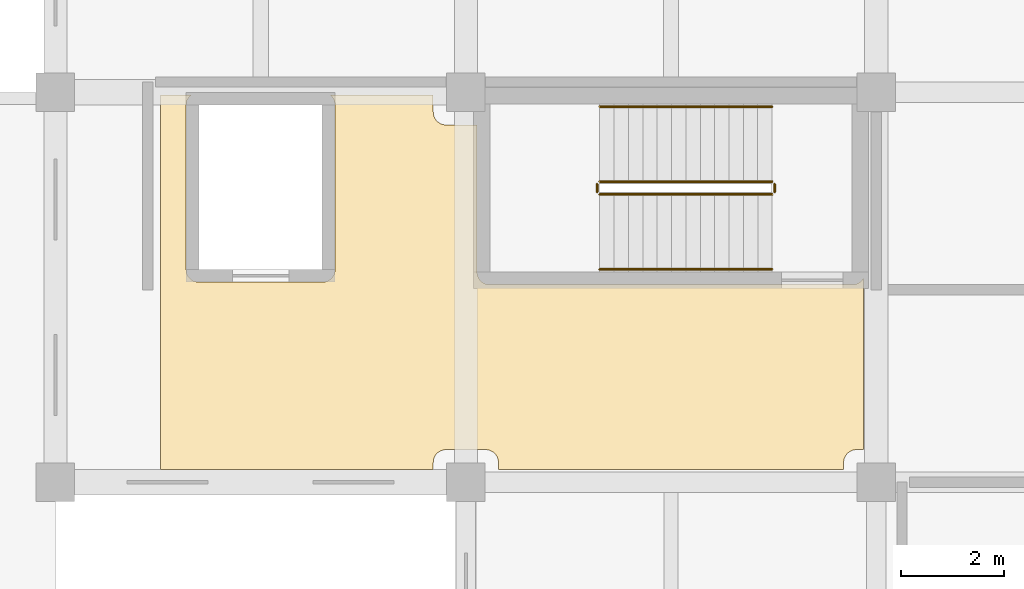
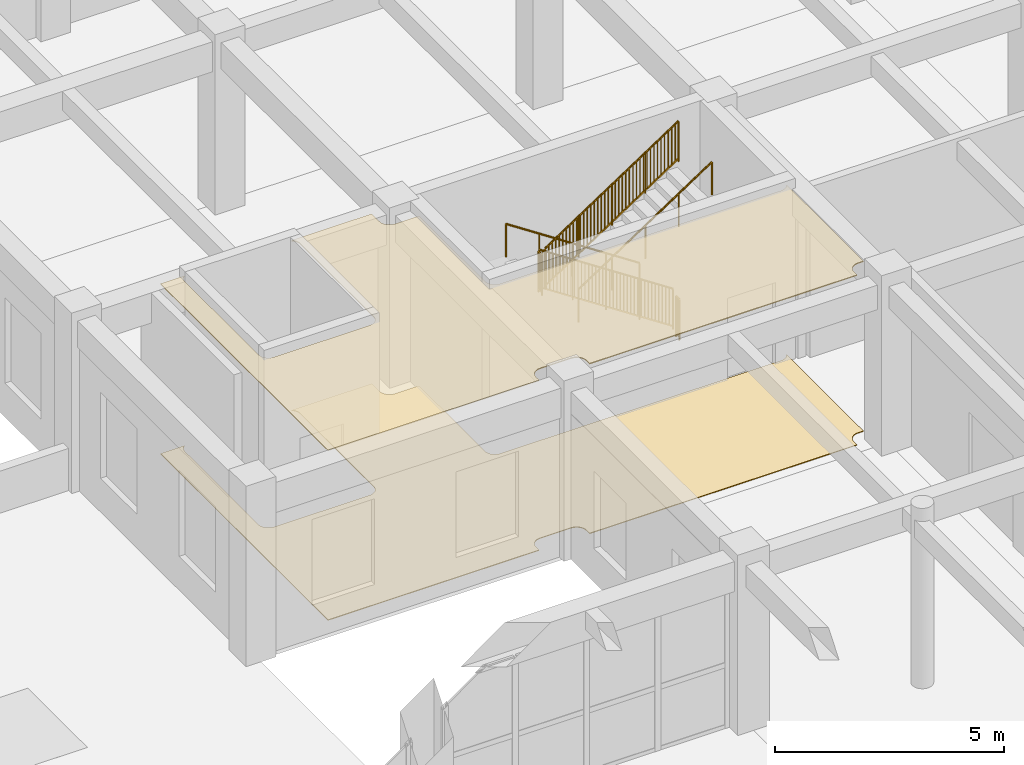
# One storey, part 98 of 101: 6 railings, 2 coverings.
"""IFC4 building model written with IfcOpenShell, lengths in metres."""

from ifc_helpers import new_model, si_unit, direction, frame, origin, origin_2d, place, context, subcontext, project, spatial, polyline, rectangle, circle, outline, extrude, material, layer, layer_set, type_object, element, save


model = new_model("IFC4")

# Units and contexts
model_context = context("Model", 3, precision=1e-05, world=origin(), true_north=direction((0.0, 1.0)))
body_context = subcontext(model_context, "Body", "Model", "MODEL_VIEW")
ifc_project = project(units=[si_unit("LENGTHUNIT", "METRE"), si_unit("AREAUNIT", "SQUARE_METRE"), si_unit("VOLUMEUNIT", "CUBIC_METRE"), si_unit("PLANEANGLEUNIT", "RADIAN"), si_unit("MASSUNIT", "GRAM", prefix="KILO")], contexts=[model_context])

# Site, building, storey
site_placement = place(None, origin())
site = spatial("IfcSite", under=ifc_project, at=site_placement, CompositionType="ELEMENT")
building_placement = place(site_placement, origin())
building = spatial("IfcBuilding", under=site, at=building_placement, Name="Zantavel Square City Hall", CompositionType="ELEMENT")
storey_placement = place(building_placement, frame((0.0, 0.0, 5.39990234375)))
storey = spatial("IfcBuildingStorey", under=building, at=storey_placement, Name="L02", CompositionType="ELEMENT", Elevation=5.39990234375)

# Railings
ifc_material_1 = material(Name="Steel ASTM A500 Grade B", Category="steel")
railing_type_1 = type_object("IfcRailingType", Name="Atrium & Gallery Steel Guard Railing 1100mm", PredefinedType="GUARDRAIL", material=ifc_material_1)
railing_1_placement = place(storey_placement, frame((117.969970703125, 81.860107421875, 0.184814453125)))
element("IfcRailing", 1, at=railing_1_placement, inside=storey, type_object=railing_type_1, Name="L02 ST2 stair guard 1", PredefinedType="GUARDRAIL", context=body_context, shape_type="SweptSolid", body=[
    extrude(circle(Radius=0.02392578125, at=origin_2d()), frame((0.0, 0.0, 1.076171875), z_axis=(-0.834858096282, 0.0, 0.550465220583), x_axis=(0.0, -1.0, 0.0)), (0.0, 0.0, 1.0), 4.0244140625),
    extrude(rectangle(XDim=0.031982421875, YDim=0.031982421875, at=origin_2d()), frame((0.0, 0.0, 0.080078125), z_axis=(-0.834858096282, 0.0, 0.550465220583), x_axis=(0.0, -1.0, 0.0)), (0.0, 0.0, 1.0), 4.0244140625),
    extrude(rectangle(XDim=0.02197265625, YDim=0.02197265625, at=origin_2d()), frame((-0.08837890625, 0.0, 0.13818359375)), (0.0, 0.0, 1.0), 0.971923828125),
    extrude(rectangle(XDim=0.02197265625, YDim=0.02197265625, at=origin_2d()), frame((-0.1767578125, 0.0, 0.196533203125)), (0.0, 0.0, 1.0), 0.971923828125),
    extrude(rectangle(XDim=0.02197265625, YDim=0.02197265625, at=origin_2d()), frame((-0.26513671875, 0.0, 0.2548828125)), (0.0, 0.0, 1.0), 0.971923828125),
    extrude(rectangle(XDim=0.02197265625, YDim=0.02197265625, at=origin_2d()), frame((-0.353759765625, 0.0, 0.313232421875)), (0.0, 0.0, 1.0), 0.971923828125),
    extrude(rectangle(XDim=0.02197265625, YDim=0.02197265625, at=origin_2d()), frame((-0.442138671875, 0.0, 0.37158203125)), (0.0, 0.0, 1.0), 0.971923828125),
    extrude(rectangle(XDim=0.02197265625, YDim=0.02197265625, at=origin_2d()), frame((-0.530517578125, 0.0, 0.4296875)), (0.0, 0.0, 1.0), 0.971923828125),
    extrude(rectangle(XDim=0.02197265625, YDim=0.02197265625, at=origin_2d()), frame((-0.618896484375, 0.0, 0.488037109375)), (0.0, 0.0, 1.0), 0.971923828125),
    extrude(rectangle(XDim=0.02197265625, YDim=0.02197265625, at=origin_2d()), frame((-0.707275390625, 0.0, 0.54638671875)), (0.0, 0.0, 1.0), 0.971923828125),
    extrude(rectangle(XDim=0.02197265625, YDim=0.02197265625, at=origin_2d()), frame((-0.795654296875, 0.0, 0.604736328125)), (0.0, 0.0, 1.0), 0.971923828125),
    extrude(rectangle(XDim=0.02197265625, YDim=0.02197265625, at=origin_2d()), frame((-0.88427734375, 0.0, 0.6630859375)), (0.0, 0.0, 1.0), 0.971923828125),
    extrude(rectangle(XDim=0.02197265625, YDim=0.02197265625, at=origin_2d()), frame((-0.97265625, 0.0, 0.72119140625)), (0.0, 0.0, 1.0), 0.971923828125),
    extrude(rectangle(XDim=0.02197265625, YDim=0.02197265625, at=origin_2d()), frame((-1.06103515625, 0.0, 0.779541015625)), (0.0, 0.0, 1.0), 0.971923828125),
    extrude(rectangle(XDim=0.02197265625, YDim=0.02197265625, at=origin_2d()), frame((-1.1494140625, 0.0, 0.837890625)), (0.0, 0.0, 1.0), 0.971923828125),
    extrude(rectangle(XDim=0.02197265625, YDim=0.02197265625, at=origin_2d()), frame((-1.23779296875, 0.0, 0.896240234375)), (0.0, 0.0, 1.0), 0.971923828125),
    extrude(rectangle(XDim=0.02197265625, YDim=0.02197265625, at=origin_2d()), frame((-1.326171875, 0.0, 0.95458984375)), (0.0, 0.0, 1.0), 0.971923828125),
    extrude(rectangle(XDim=0.02197265625, YDim=0.02197265625, at=origin_2d()), frame((-1.414794921875, 0.0, 1.0126953125)), (0.0, 0.0, 1.0), 0.971923828125),
    extrude(rectangle(XDim=0.02197265625, YDim=0.02197265625, at=origin_2d()), frame((-1.503173828125, 0.0, 1.071044921875)), (0.0, 0.0, 1.0), 0.971923828125),
    extrude(rectangle(XDim=0.02197265625, YDim=0.02197265625, at=origin_2d()), frame((-1.591552734375, 0.0, 1.12939453125)), (0.0, 0.0, 1.0), 0.971923828125),
    extrude(rectangle(XDim=0.02197265625, YDim=0.02197265625, at=origin_2d()), frame((-1.768310546875, 0.0, 1.245849609375)), (0.0, 0.0, 1.0), 0.971923828125),
    extrude(rectangle(XDim=0.02197265625, YDim=0.02197265625, at=origin_2d()), frame((-1.856689453125, 0.0, 1.30419921875)), (0.0, 0.0, 1.0), 0.971923828125),
    extrude(rectangle(XDim=0.02197265625, YDim=0.02197265625, at=origin_2d()), frame((-1.945068359375, 0.0, 1.362548828125)), (0.0, 0.0, 1.0), 0.971923828125),
    extrude(rectangle(XDim=0.02197265625, YDim=0.02197265625, at=origin_2d()), frame((-2.03369140625, 0.0, 1.4208984375)), (0.0, 0.0, 1.0), 0.971923828125),
    extrude(rectangle(XDim=0.02197265625, YDim=0.02197265625, at=origin_2d()), frame((-2.1220703125, 0.0, 1.479248046875)), (0.0, 0.0, 1.0), 0.971923828125),
    extrude(rectangle(XDim=0.02197265625, YDim=0.02197265625, at=origin_2d()), frame((-2.21044921875, 0.0, 1.537353515625)), (0.0, 0.0, 1.0), 0.971923828125),
    extrude(rectangle(XDim=0.02197265625, YDim=0.02197265625, at=origin_2d()), frame((-2.298828125, 0.0, 1.595703125)), (0.0, 0.0, 1.0), 0.971923828125),
    extrude(rectangle(XDim=0.02197265625, YDim=0.02197265625, at=origin_2d()), frame((-2.38720703125, 0.0, 1.654052734375)), (0.0, 0.0, 1.0), 0.971923828125),
    extrude(rectangle(XDim=0.02197265625, YDim=0.02197265625, at=origin_2d()), frame((-2.4755859375, 0.0, 1.71240234375)), (0.0, 0.0, 1.0), 0.971923828125),
    extrude(rectangle(XDim=0.02197265625, YDim=0.02197265625, at=origin_2d()), frame((-2.564208984375, 0.0, 1.770751953125)), (0.0, 0.0, 1.0), 0.971923828125),
    extrude(rectangle(XDim=0.02197265625, YDim=0.02197265625, at=origin_2d()), frame((-2.652587890625, 0.0, 1.828857421875)), (0.0, 0.0, 1.0), 0.971923828125),
    extrude(rectangle(XDim=0.02197265625, YDim=0.02197265625, at=origin_2d()), frame((-2.740966796875, 0.0, 1.88720703125)), (0.0, 0.0, 1.0), 0.971923828125),
    extrude(rectangle(XDim=0.02197265625, YDim=0.02197265625, at=origin_2d()), frame((-2.829345703125, 0.0, 1.945556640625)), (0.0, 0.0, 1.0), 0.971923828125),
    extrude(rectangle(XDim=0.02197265625, YDim=0.02197265625, at=origin_2d()), frame((-2.917724609375, 0.0, 2.00390625)), (0.0, 0.0, 1.0), 0.971923828125),
    extrude(rectangle(XDim=0.02197265625, YDim=0.02197265625, at=origin_2d()), frame((-3.006103515625, 0.0, 2.062255859375)), (0.0, 0.0, 1.0), 0.971923828125),
    extrude(rectangle(XDim=0.02197265625, YDim=0.02197265625, at=origin_2d()), frame((-3.0947265625, 0.0, 2.120361328125)), (0.0, 0.0, 1.0), 0.971923828125),
    extrude(rectangle(XDim=0.02197265625, YDim=0.02197265625, at=origin_2d()), frame((-3.18310546875, 0.0, 2.1787109375)), (0.0, 0.0, 1.0), 0.971923828125),
    extrude(rectangle(XDim=0.02197265625, YDim=0.02197265625, at=origin_2d()), frame((-3.271484375, 0.0, 2.237060546875)), (0.0, 0.0, 1.0), 0.971923828125),
    extrude(circle(Radius=0.02099609375, at=origin_2d()), origin(), (0.0, 0.0, 1.0), 1.052001953125),
    extrude(circle(Radius=0.02099609375, at=origin_2d()), frame((-0.83984375, 0.0, 0.5537109375)), (0.0, 0.0, 1.0), 1.052001953125),
    extrude(circle(Radius=0.02099609375, at=origin_2d()), frame((-1.679931640625, 0.0, 1.107666015625)), (0.0, 0.0, 1.0), 1.052001953125),
    extrude(circle(Radius=0.02099609375, at=origin_2d()), frame((-2.52001953125, 0.0, 1.66162109375)), (0.0, 0.0, 1.0), 1.052001953125),
    extrude(circle(Radius=0.02099609375, at=origin_2d()), frame((-3.35986328125, 0.0, 2.21533203125)), (0.0, 0.0, 1.0), 1.052001953125),
])
railing_2_placement = place(storey_placement, frame((114.56005859375, 81.81005859375, 2.400146484375)))
element("IfcRailing", 2, at=railing_2_placement, inside=storey, type_object=railing_type_1, Name="L02 ST2 stair guard 2", PredefinedType="GUARDRAIL", context=body_context, shape_type="SweptSolid", body=[
    extrude(circle(Radius=0.02392578125, at=origin_2d()), frame((0.0, 0.0, 1.076171875), z_axis=(0.0, -1.0, 0.0), x_axis=(1.0, 0.0, 0.0)), (0.0, 0.0, 1.0), 0.150146484375),
    extrude(rectangle(XDim=0.031982421875, YDim=0.031982421875, at=origin_2d()), frame((0.0, 0.0, 0.080078125), z_axis=(0.0, -1.0, 0.0), x_axis=(1.0, 0.0, 0.0)), (0.0, 0.0, 1.0), 0.150146484375),
    extrude(rectangle(XDim=0.02197265625, YDim=0.02197265625, at=origin_2d()), frame((0.0, -0.0751953125, 0.080078125)), (0.0, 0.0, 1.0), 0.971923828125),
    extrude(circle(Radius=0.02099609375, at=origin_2d()), origin(), (0.0, 0.0, 1.0), 1.052001953125),
    extrude(circle(Radius=0.02099609375, at=origin_2d()), frame((0.0, -0.150146484375, 0.0)), (0.0, 0.0, 1.0), 1.052001953125),
])
railing_3_placement = place(storey_placement, frame((114.610107421875, 81.610107421875, 2.584716796875)))
element("IfcRailing", 3, at=railing_3_placement, inside=storey, type_object=railing_type_1, Name="L02 ST2 stair guard 3", PredefinedType="GUARDRAIL", context=body_context, shape_type="SweptSolid", body=[
    extrude(circle(Radius=0.02392578125, at=origin_2d()), frame((0.0, 0.0, 1.076171875), z_axis=(0.834858096282, 0.0, 0.550465220583), x_axis=(0.0, 1.0, 0.0)), (0.0, 0.0, 1.0), 4.0244140625),
    extrude(rectangle(XDim=0.031982421875, YDim=0.031982421875, at=origin_2d()), frame((0.0, 0.0, 0.080078125), z_axis=(0.834858096282, 0.0, 0.550465220583), x_axis=(0.0, 1.0, 0.0)), (0.0, 0.0, 1.0), 4.0244140625),
    extrude(rectangle(XDim=0.02197265625, YDim=0.02197265625, at=origin_2d()), frame((0.08837890625, 0.0, 0.13818359375)), (0.0, 0.0, 1.0), 0.971923828125),
    extrude(rectangle(XDim=0.02197265625, YDim=0.02197265625, at=origin_2d()), frame((0.1767578125, 0.0, 0.196533203125)), (0.0, 0.0, 1.0), 0.971923828125),
    extrude(rectangle(XDim=0.02197265625, YDim=0.02197265625, at=origin_2d()), frame((0.26513671875, 0.0, 0.2548828125)), (0.0, 0.0, 1.0), 0.971923828125),
    extrude(rectangle(XDim=0.02197265625, YDim=0.02197265625, at=origin_2d()), frame((0.353759765625, 0.0, 0.313232421875)), (0.0, 0.0, 1.0), 0.971923828125),
    extrude(rectangle(XDim=0.02197265625, YDim=0.02197265625, at=origin_2d()), frame((0.442138671875, 0.0, 0.37158203125)), (0.0, 0.0, 1.0), 0.971923828125),
    extrude(rectangle(XDim=0.02197265625, YDim=0.02197265625, at=origin_2d()), frame((0.530517578125, 0.0, 0.4296875)), (0.0, 0.0, 1.0), 0.971923828125),
    extrude(rectangle(XDim=0.02197265625, YDim=0.02197265625, at=origin_2d()), frame((0.618896484375, 0.0, 0.488037109375)), (0.0, 0.0, 1.0), 0.971923828125),
    extrude(rectangle(XDim=0.02197265625, YDim=0.02197265625, at=origin_2d()), frame((0.707275390625, 0.0, 0.54638671875)), (0.0, 0.0, 1.0), 0.971923828125),
    extrude(rectangle(XDim=0.02197265625, YDim=0.02197265625, at=origin_2d()), frame((0.795654296875, 0.0, 0.604736328125)), (0.0, 0.0, 1.0), 0.971923828125),
    extrude(rectangle(XDim=0.02197265625, YDim=0.02197265625, at=origin_2d()), frame((0.88427734375, 0.0, 0.6630859375)), (0.0, 0.0, 1.0), 0.971923828125),
    extrude(rectangle(XDim=0.02197265625, YDim=0.02197265625, at=origin_2d()), frame((0.97265625, 0.0, 0.72119140625)), (0.0, 0.0, 1.0), 0.971923828125),
    extrude(rectangle(XDim=0.02197265625, YDim=0.02197265625, at=origin_2d()), frame((1.06103515625, 0.0, 0.779541015625)), (0.0, 0.0, 1.0), 0.971923828125),
    extrude(rectangle(XDim=0.02197265625, YDim=0.02197265625, at=origin_2d()), frame((1.1494140625, 0.0, 0.837890625)), (0.0, 0.0, 1.0), 0.971923828125),
    extrude(rectangle(XDim=0.02197265625, YDim=0.02197265625, at=origin_2d()), frame((1.23779296875, 0.0, 0.896240234375)), (0.0, 0.0, 1.0), 0.971923828125),
    extrude(rectangle(XDim=0.02197265625, YDim=0.02197265625, at=origin_2d()), frame((1.326171875, 0.0, 0.95458984375)), (0.0, 0.0, 1.0), 0.971923828125),
    extrude(rectangle(XDim=0.02197265625, YDim=0.02197265625, at=origin_2d()), frame((1.414794921875, 0.0, 1.0126953125)), (0.0, 0.0, 1.0), 0.971923828125),
    extrude(rectangle(XDim=0.02197265625, YDim=0.02197265625, at=origin_2d()), frame((1.503173828125, 0.0, 1.071044921875)), (0.0, 0.0, 1.0), 0.971923828125),
    extrude(rectangle(XDim=0.02197265625, YDim=0.02197265625, at=origin_2d()), frame((1.591552734375, 0.0, 1.12939453125)), (0.0, 0.0, 1.0), 0.971923828125),
    extrude(rectangle(XDim=0.02197265625, YDim=0.02197265625, at=origin_2d()), frame((1.768310546875, 0.0, 1.245849609375)), (0.0, 0.0, 1.0), 0.971923828125),
    extrude(rectangle(XDim=0.02197265625, YDim=0.02197265625, at=origin_2d()), frame((1.856689453125, 0.0, 1.30419921875)), (0.0, 0.0, 1.0), 0.971923828125),
    extrude(rectangle(XDim=0.02197265625, YDim=0.02197265625, at=origin_2d()), frame((1.945068359375, 0.0, 1.362548828125)), (0.0, 0.0, 1.0), 0.971923828125),
    extrude(rectangle(XDim=0.02197265625, YDim=0.02197265625, at=origin_2d()), frame((2.03369140625, 0.0, 1.4208984375)), (0.0, 0.0, 1.0), 0.971923828125),
    extrude(rectangle(XDim=0.02197265625, YDim=0.02197265625, at=origin_2d()), frame((2.1220703125, 0.0, 1.479248046875)), (0.0, 0.0, 1.0), 0.971923828125),
    extrude(rectangle(XDim=0.02197265625, YDim=0.02197265625, at=origin_2d()), frame((2.21044921875, 0.0, 1.537353515625)), (0.0, 0.0, 1.0), 0.971923828125),
    extrude(rectangle(XDim=0.02197265625, YDim=0.02197265625, at=origin_2d()), frame((2.298828125, 0.0, 1.595703125)), (0.0, 0.0, 1.0), 0.971923828125),
    extrude(rectangle(XDim=0.02197265625, YDim=0.02197265625, at=origin_2d()), frame((2.38720703125, 0.0, 1.654052734375)), (0.0, 0.0, 1.0), 0.971923828125),
    extrude(rectangle(XDim=0.02197265625, YDim=0.02197265625, at=origin_2d()), frame((2.4755859375, 0.0, 1.71240234375)), (0.0, 0.0, 1.0), 0.971923828125),
    extrude(rectangle(XDim=0.02197265625, YDim=0.02197265625, at=origin_2d()), frame((2.564208984375, 0.0, 1.770751953125)), (0.0, 0.0, 1.0), 0.971923828125),
    extrude(rectangle(XDim=0.02197265625, YDim=0.02197265625, at=origin_2d()), frame((2.652587890625, 0.0, 1.828857421875)), (0.0, 0.0, 1.0), 0.971923828125),
    extrude(rectangle(XDim=0.02197265625, YDim=0.02197265625, at=origin_2d()), frame((2.740966796875, 0.0, 1.88720703125)), (0.0, 0.0, 1.0), 0.971923828125),
    extrude(rectangle(XDim=0.02197265625, YDim=0.02197265625, at=origin_2d()), frame((2.829345703125, 0.0, 1.945556640625)), (0.0, 0.0, 1.0), 0.971923828125),
    extrude(rectangle(XDim=0.02197265625, YDim=0.02197265625, at=origin_2d()), frame((2.917724609375, 0.0, 2.00390625)), (0.0, 0.0, 1.0), 0.971923828125),
    extrude(rectangle(XDim=0.02197265625, YDim=0.02197265625, at=origin_2d()), frame((3.006103515625, 0.0, 2.062255859375)), (0.0, 0.0, 1.0), 0.971923828125),
    extrude(rectangle(XDim=0.02197265625, YDim=0.02197265625, at=origin_2d()), frame((3.0947265625, 0.0, 2.120361328125)), (0.0, 0.0, 1.0), 0.971923828125),
    extrude(rectangle(XDim=0.02197265625, YDim=0.02197265625, at=origin_2d()), frame((3.18310546875, 0.0, 2.1787109375)), (0.0, 0.0, 1.0), 0.971923828125),
    extrude(rectangle(XDim=0.02197265625, YDim=0.02197265625, at=origin_2d()), frame((3.271484375, 0.0, 2.237060546875)), (0.0, 0.0, 1.0), 0.971923828125),
    extrude(circle(Radius=0.02099609375, at=origin_2d()), origin(), (0.0, 0.0, 1.0), 1.052001953125),
    extrude(circle(Radius=0.02099609375, at=origin_2d()), frame((0.83984375, 0.0, 0.5537109375)), (0.0, 0.0, 1.0), 1.052001953125),
    extrude(circle(Radius=0.02099609375, at=origin_2d()), frame((1.679931640625, 0.0, 1.107666015625)), (0.0, 0.0, 1.0), 1.052001953125),
    extrude(circle(Radius=0.02099609375, at=origin_2d()), frame((2.52001953125, 0.0, 1.66162109375)), (0.0, 0.0, 1.0), 1.052001953125),
    extrude(circle(Radius=0.02099609375, at=origin_2d()), frame((3.35986328125, 0.0, 2.21533203125)), (0.0, 0.0, 1.0), 1.052001953125),
])
railing_4_placement = place(storey_placement, frame((118.02001953125, 81.81005859375, 0.0)))
element("IfcRailing", 4, at=railing_4_placement, inside=storey, type_object=railing_type_1, Name="L02 ST2 stair guard 4", PredefinedType="GUARDRAIL", context=body_context, shape_type="SweptSolid", body=[
    extrude(circle(Radius=0.02392578125, at=origin_2d()), frame((0.0, 0.0, 1.076171875), z_axis=(0.0, -1.0, 0.0), x_axis=(1.0, 0.0, 0.0)), (0.0, 0.0, 1.0), 0.150146484375),
    extrude(rectangle(XDim=0.031982421875, YDim=0.031982421875, at=origin_2d()), frame((0.0, 0.0, 0.080078125), z_axis=(0.0, -1.0, 0.0), x_axis=(1.0, 0.0, 0.0)), (0.0, 0.0, 1.0), 0.150146484375),
    extrude(rectangle(XDim=0.02197265625, YDim=0.02197265625, at=origin_2d()), frame((0.0, -0.0751953125, 0.080078125)), (0.0, 0.0, 1.0), 0.971923828125),
    extrude(circle(Radius=0.02099609375, at=origin_2d()), origin(), (0.0, 0.0, 1.0), 1.052001953125),
    extrude(circle(Radius=0.02099609375, at=origin_2d()), frame((0.0, -0.150146484375, 0.0)), (0.0, 0.0, 1.0), 1.052001953125),
])

# Coverings
ifc_material_2 = material(Name="Terrazzo stone finish", Category="masonry")
ifc_layer_1 = layer(ifc_material_2, 0.02001953125, Name="Terrazzo stone finish")
ifc_layer_set_1 = layer_set([ifc_layer_1], Name="Terrazzo stone finish")
covering_type_1 = type_object("IfcCoveringType", Name="Honed Cantera-Terrazzo Civic Flooring 20mm", PredefinedType="FLOORING", material=ifc_layer_set_1)
covering_1_placement = place(storey_placement, origin())
element("IfcCovering", 5, at=covering_1_placement, inside=storey, type_object=covering_type_1, Name="L02 L02 North-East Lift Lobby Terrazzo Flooring", PredefinedType="FLOORING", context=body_context, shape_type="SweptSolid", body=[
    extrude(outline(polyline([(106.623291015625, 83.52685546875), (106.606689453125, 83.508544921875), (106.592041015625, 83.489013671875), (106.57958984375, 83.4677734375), (106.569091796875, 83.44580078125), (106.560791015625, 83.422607421875), (106.5546875, 83.398681640625), (106.55126953125, 83.37451171875), (106.550048828125, 83.35009765625), (106.550048828125, 80.14990234375), (106.55126953125, 80.12548828125), (106.5546875, 80.101318359375), (106.560791015625, 80.077392578125), (106.569091796875, 80.05419921875), (106.57958984375, 80.0322265625), (106.592041015625, 80.010986328125), (106.606689453125, 79.991455078125), (106.623291015625, 79.97314453125), (106.641357421875, 79.956787109375), (106.6611328125, 79.942138671875), (106.68212890625, 79.929443359375), (106.704345703125, 79.9189453125), (106.727294921875, 79.910888671875), (106.751220703125, 79.90478515625), (106.775390625, 79.901123046875), (106.800048828125, 79.89990234375), (109.199951171875, 79.89990234375), (109.224609375, 79.901123046875), (109.248779296875, 79.90478515625), (109.272705078125, 79.910888671875), (109.295654296875, 79.9189453125), (109.31787109375, 79.929443359375), (109.3388671875, 79.942138671875), (109.358642578125, 79.956787109375), (109.376708984375, 79.97314453125), (109.393310546875, 79.991455078125), (109.407958984375, 80.010986328125), (109.42041015625, 80.0322265625), (109.430908203125, 80.05419921875), (109.439208984375, 80.077392578125), (109.4453125, 80.101318359375), (109.44873046875, 80.12548828125), (109.449951171875, 80.14990234375), (109.449951171875, 83.35009765625), (109.44873046875, 83.37451171875), (109.4453125, 83.398681640625), (109.439208984375, 83.422607421875), (109.430908203125, 83.44580078125), (109.42041015625, 83.4677734375), (109.407958984375, 83.489013671875), (109.393310546875, 83.508544921875), (109.376708984375, 83.52685546875), (109.358642578125, 83.543212890625), (109.349609375, 83.550048828125), (111.364990234375, 83.550048828125), (111.364990234375, 83.215087890625), (111.3662109375, 83.1904296875), (111.369873046875, 83.166259765625), (111.375732421875, 83.142333984375), (111.384033203125, 83.119384765625), (111.39453125, 83.09716796875), (111.406982421875, 83.076171875), (111.421630859375, 83.056396484375), (111.438232421875, 83.0380859375), (111.456298828125, 83.021728515625), (111.47607421875, 83.007080078125), (111.497314453125, 82.994384765625), (111.519287109375, 82.98388671875), (111.54248046875, 82.975830078125), (111.566162109375, 82.9697265625), (111.590576171875, 82.96630859375), (111.614990234375, 82.965087890625), (112.219970703125, 82.965087890625), (112.219970703125, 80.10009765625), (112.22119140625, 80.075439453125), (112.224853515625, 80.05126953125), (112.230712890625, 80.02734375), (112.239013671875, 80.00439453125), (112.24951171875, 79.982177734375), (112.26220703125, 79.961181640625), (112.276611328125, 79.94140625), (112.293212890625, 79.923095703125), (112.311279296875, 79.90673828125), (112.3310546875, 79.89208984375), (112.352294921875, 79.87939453125), (112.374267578125, 79.868896484375), (112.3974609375, 79.86083984375), (112.421142578125, 79.854736328125), (112.445556640625, 79.851318359375), (112.469970703125, 79.85009765625), (119.530029296875, 79.85009765625), (119.554443359375, 79.851318359375), (119.578857421875, 79.854736328125), (119.6025390625, 79.86083984375), (119.625732421875, 79.868896484375), (119.647705078125, 79.87939453125), (119.6689453125, 79.89208984375), (119.688720703125, 79.90673828125), (119.706787109375, 79.923095703125), (119.723388671875, 79.94140625), (119.73779296875, 79.961181640625), (119.75, 79.981201171875), (119.75, 76.635009765625), (119.614990234375, 76.635009765625), (119.590576171875, 76.6337890625), (119.566162109375, 76.630126953125), (119.54248046875, 76.624267578125), (119.519287109375, 76.615966796875), (119.497314453125, 76.60546875), (119.47607421875, 76.593017578125), (119.456298828125, 76.578369140625), (119.438232421875, 76.561767578125), (119.421630859375, 76.543701171875), (119.406982421875, 76.52392578125), (119.39453125, 76.502685546875), (119.384033203125, 76.480712890625), (119.375732421875, 76.45751953125), (119.369873046875, 76.433837890625), (119.3662109375, 76.409423828125), (119.364990234375, 76.385009765625), (119.364990234375, 76.25), (112.635009765625, 76.25), (112.635009765625, 76.385009765625), (112.6337890625, 76.409423828125), (112.630126953125, 76.433837890625), (112.624267578125, 76.45751953125), (112.615966796875, 76.480712890625), (112.60546875, 76.502685546875), (112.593017578125, 76.52392578125), (112.578369140625, 76.543701171875), (112.561767578125, 76.561767578125), (112.543701171875, 76.578369140625), (112.52392578125, 76.593017578125), (112.502685546875, 76.60546875), (112.480712890625, 76.615966796875), (112.45751953125, 76.624267578125), (112.433837890625, 76.630126953125), (112.409423828125, 76.6337890625), (112.385009765625, 76.635009765625), (111.614990234375, 76.635009765625), (111.590576171875, 76.6337890625), (111.566162109375, 76.630126953125), (111.54248046875, 76.624267578125), (111.519287109375, 76.615966796875), (111.497314453125, 76.60546875), (111.47607421875, 76.593017578125), (111.456298828125, 76.578369140625), (111.438232421875, 76.561767578125), (111.421630859375, 76.543701171875), (111.406982421875, 76.52392578125), (111.39453125, 76.502685546875), (111.384033203125, 76.480712890625), (111.375732421875, 76.45751953125), (111.369873046875, 76.433837890625), (111.3662109375, 76.409423828125), (111.364990234375, 76.385009765625), (111.364990234375, 76.25), (106.050048828125, 76.25), (106.050048828125, 83.550048828125), (106.650390625, 83.550048828125), (106.641357421875, 83.543212890625), (106.623291015625, 83.52685546875)])), origin(), (0.0, 0.0, 1.0), 0.02001953125),
])
ifc_material_3 = material(Name="Gypsum acoustic stud assembly", Category="masonry")
ifc_layer_2 = layer(ifc_material_3, 0.02490234375, Name="Gypsum acoustic stud assembly")
ifc_layer_set_2 = layer_set([ifc_layer_2], Name="Gypsum acoustic stud assembly")
covering_type_2 = type_object("IfcCoveringType", Name="Perforated Gypsum Acoustic Ceiling 25mm", PredefinedType="CEILING", material=ifc_layer_set_2)
covering_2_placement = place(storey_placement, frame((0.0, 0.0, 4.51513671875)))
element("IfcCovering", 6, at=covering_2_placement, inside=storey, type_object=covering_type_2, Name="L02 L02 North-East Lift Lobby Acoustic Ceiling", PredefinedType="CEILING", context=body_context, shape_type="SweptSolid", body=[
    extrude(outline(polyline([(106.623291015625, 83.52685546875), (106.606689453125, 83.508544921875), (106.592041015625, 83.489013671875), (106.57958984375, 83.4677734375), (106.569091796875, 83.44580078125), (106.560791015625, 83.422607421875), (106.5546875, 83.398681640625), (106.55126953125, 83.37451171875), (106.550048828125, 83.35009765625), (106.550048828125, 80.14990234375), (106.55126953125, 80.12548828125), (106.5546875, 80.101318359375), (106.560791015625, 80.077392578125), (106.569091796875, 80.05419921875), (106.57958984375, 80.0322265625), (106.592041015625, 80.010986328125), (106.606689453125, 79.991455078125), (106.623291015625, 79.97314453125), (106.641357421875, 79.956787109375), (106.6611328125, 79.942138671875), (106.68212890625, 79.929443359375), (106.704345703125, 79.9189453125), (106.727294921875, 79.910888671875), (106.751220703125, 79.90478515625), (106.775390625, 79.901123046875), (106.800048828125, 79.89990234375), (109.199951171875, 79.89990234375), (109.224609375, 79.901123046875), (109.248779296875, 79.90478515625), (109.272705078125, 79.910888671875), (109.295654296875, 79.9189453125), (109.31787109375, 79.929443359375), (109.3388671875, 79.942138671875), (109.358642578125, 79.956787109375), (109.376708984375, 79.97314453125), (109.393310546875, 79.991455078125), (109.407958984375, 80.010986328125), (109.42041015625, 80.0322265625), (109.430908203125, 80.05419921875), (109.439208984375, 80.077392578125), (109.4453125, 80.101318359375), (109.44873046875, 80.12548828125), (109.449951171875, 80.14990234375), (109.449951171875, 83.35009765625), (109.44873046875, 83.37451171875), (109.4453125, 83.398681640625), (109.439208984375, 83.422607421875), (109.430908203125, 83.44580078125), (109.42041015625, 83.4677734375), (109.407958984375, 83.489013671875), (109.393310546875, 83.508544921875), (109.376708984375, 83.52685546875), (109.358642578125, 83.543212890625), (109.349609375, 83.550048828125), (111.364990234375, 83.550048828125), (111.364990234375, 83.215087890625), (111.3662109375, 83.1904296875), (111.369873046875, 83.166259765625), (111.375732421875, 83.142333984375), (111.384033203125, 83.119384765625), (111.39453125, 83.09716796875), (111.406982421875, 83.076171875), (111.421630859375, 83.056396484375), (111.438232421875, 83.0380859375), (111.456298828125, 83.021728515625), (111.47607421875, 83.007080078125), (111.497314453125, 82.994384765625), (111.519287109375, 82.98388671875), (111.54248046875, 82.975830078125), (111.566162109375, 82.9697265625), (111.590576171875, 82.96630859375), (111.614990234375, 82.965087890625), (112.219970703125, 82.965087890625), (112.219970703125, 80.10009765625), (112.22119140625, 80.075439453125), (112.224853515625, 80.05126953125), (112.230712890625, 80.02734375), (112.239013671875, 80.00439453125), (112.24951171875, 79.982177734375), (112.26220703125, 79.961181640625), (112.276611328125, 79.94140625), (112.293212890625, 79.923095703125), (112.311279296875, 79.90673828125), (112.3310546875, 79.89208984375), (112.352294921875, 79.87939453125), (112.374267578125, 79.868896484375), (112.3974609375, 79.86083984375), (112.421142578125, 79.854736328125), (112.445556640625, 79.851318359375), (112.469970703125, 79.85009765625), (119.530029296875, 79.85009765625), (119.554443359375, 79.851318359375), (119.578857421875, 79.854736328125), (119.6025390625, 79.86083984375), (119.625732421875, 79.868896484375), (119.647705078125, 79.87939453125), (119.6689453125, 79.89208984375), (119.688720703125, 79.90673828125), (119.706787109375, 79.923095703125), (119.723388671875, 79.94140625), (119.73779296875, 79.961181640625), (119.75, 79.981201171875), (119.75, 76.635009765625), (119.614990234375, 76.635009765625), (119.590576171875, 76.6337890625), (119.566162109375, 76.630126953125), (119.54248046875, 76.624267578125), (119.519287109375, 76.615966796875), (119.497314453125, 76.60546875), (119.47607421875, 76.593017578125), (119.456298828125, 76.578369140625), (119.438232421875, 76.561767578125), (119.421630859375, 76.543701171875), (119.406982421875, 76.52392578125), (119.39453125, 76.502685546875), (119.384033203125, 76.480712890625), (119.375732421875, 76.45751953125), (119.369873046875, 76.433837890625), (119.3662109375, 76.409423828125), (119.364990234375, 76.385009765625), (119.364990234375, 76.25), (112.635009765625, 76.25), (112.635009765625, 76.385009765625), (112.6337890625, 76.409423828125), (112.630126953125, 76.433837890625), (112.624267578125, 76.45751953125), (112.615966796875, 76.480712890625), (112.60546875, 76.502685546875), (112.593017578125, 76.52392578125), (112.578369140625, 76.543701171875), (112.561767578125, 76.561767578125), (112.543701171875, 76.578369140625), (112.52392578125, 76.593017578125), (112.502685546875, 76.60546875), (112.480712890625, 76.615966796875), (112.45751953125, 76.624267578125), (112.433837890625, 76.630126953125), (112.409423828125, 76.6337890625), (112.385009765625, 76.635009765625), (111.614990234375, 76.635009765625), (111.590576171875, 76.6337890625), (111.566162109375, 76.630126953125), (111.54248046875, 76.624267578125), (111.519287109375, 76.615966796875), (111.497314453125, 76.60546875), (111.47607421875, 76.593017578125), (111.456298828125, 76.578369140625), (111.438232421875, 76.561767578125), (111.421630859375, 76.543701171875), (111.406982421875, 76.52392578125), (111.39453125, 76.502685546875), (111.384033203125, 76.480712890625), (111.375732421875, 76.45751953125), (111.369873046875, 76.433837890625), (111.3662109375, 76.409423828125), (111.364990234375, 76.385009765625), (111.364990234375, 76.25), (106.050048828125, 76.25), (106.050048828125, 83.550048828125), (106.650390625, 83.550048828125), (106.641357421875, 83.543212890625), (106.623291015625, 83.52685546875)])), origin(), (0.0, 0.0, 1.0), 0.02490234375),
])

# Railings
ifc_material_4 = material(Name="Stainless steel 316", Category="steel")
railing_type_2 = type_object("IfcRailingType", Name="Stair Stainless Steel Handrail 900mm", PredefinedType="HANDRAIL", material=ifc_material_4)
railing_5_placement = place(storey_placement, frame((117.969970703125, 83.320068359375, 0.184814453125)))
element("IfcRailing", 7, at=railing_5_placement, inside=storey, type_object=railing_type_2, Name="L02 ST2 stair handrail 1", PredefinedType="HANDRAIL", context=body_context, shape_type="SweptSolid", body=[
    extrude(circle(Radius=0.02392578125, at=origin_2d()), frame((0.0, 0.0, 0.8759765625), z_axis=(-0.834858096282, 0.0, 0.550465220583), x_axis=(0.0, -1.0, 0.0)), (0.0, 0.0, 1.0), 4.0244140625),
    extrude(circle(Radius=0.02099609375, at=origin_2d()), origin(), (0.0, 0.0, 1.0), 0.851806640625),
    extrude(circle(Radius=0.02099609375, at=origin_2d()), frame((-0.83984375, 0.0, 0.5537109375)), (0.0, 0.0, 1.0), 0.851806640625),
    extrude(circle(Radius=0.02099609375, at=origin_2d()), frame((-1.679931640625, 0.0, 1.107666015625)), (0.0, 0.0, 1.0), 0.851806640625),
    extrude(circle(Radius=0.02099609375, at=origin_2d()), frame((-2.52001953125, 0.0, 1.66162109375)), (0.0, 0.0, 1.0), 0.851806640625),
    extrude(circle(Radius=0.02099609375, at=origin_2d()), frame((-3.35986328125, 0.0, 2.21533203125)), (0.0, 0.0, 1.0), 0.851806640625),
])
railing_6_placement = place(storey_placement, frame((114.610107421875, 80.14990234375, 2.584716796875)))
element("IfcRailing", 8, at=railing_6_placement, inside=storey, type_object=railing_type_2, Name="L02 ST2 stair handrail 2", PredefinedType="HANDRAIL", context=body_context, shape_type="SweptSolid", body=[
    extrude(circle(Radius=0.02392578125, at=origin_2d()), frame((0.0, 0.0, 0.8759765625), z_axis=(0.834858096282, 0.0, 0.550465220583), x_axis=(0.0, 1.0, 0.0)), (0.0, 0.0, 1.0), 4.0244140625),
    extrude(circle(Radius=0.02099609375, at=origin_2d()), origin(), (0.0, 0.0, 1.0), 0.851806640625),
    extrude(circle(Radius=0.02099609375, at=origin_2d()), frame((0.83984375, 0.0, 0.5537109375)), (0.0, 0.0, 1.0), 0.851806640625),
    extrude(circle(Radius=0.02099609375, at=origin_2d()), frame((1.679931640625, 0.0, 1.107666015625)), (0.0, 0.0, 1.0), 0.851806640625),
    extrude(circle(Radius=0.02099609375, at=origin_2d()), frame((2.52001953125, 0.0, 1.66162109375)), (0.0, 0.0, 1.0), 0.851806640625),
    extrude(circle(Radius=0.02099609375, at=origin_2d()), frame((3.35986328125, 0.0, 2.21533203125)), (0.0, 0.0, 1.0), 0.851806640625),
])

save(model, "model.ifc")
